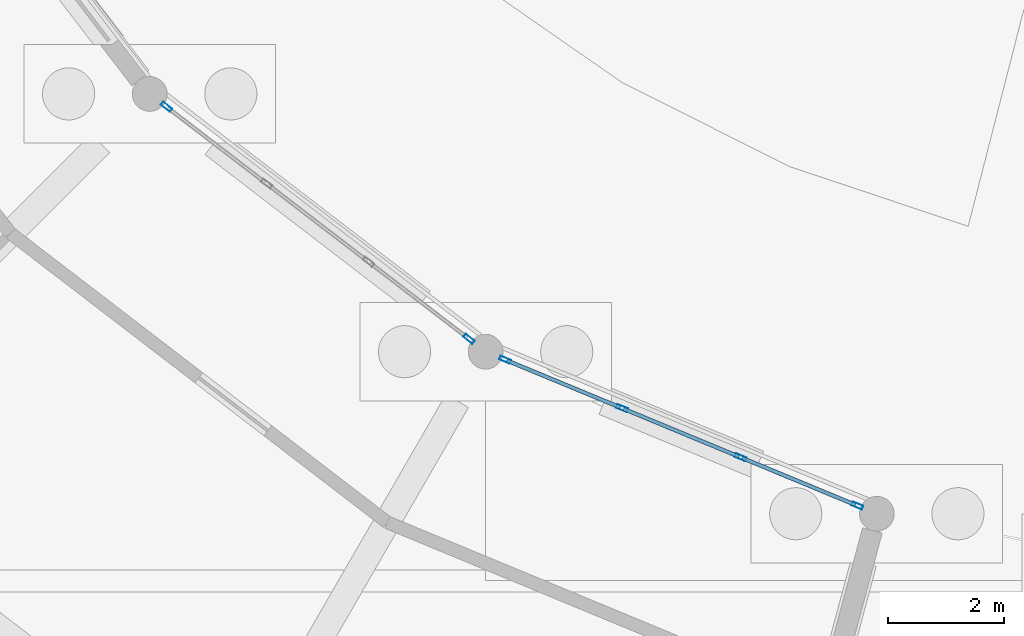
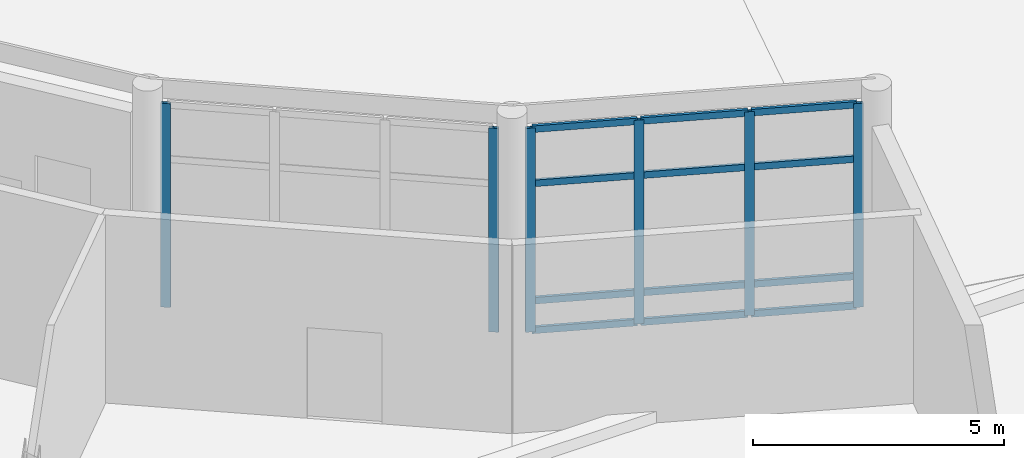
# One storey, part 39 of 137: 18 members, 2 elements without a shape of their own.
"""IFC4 building model written with IfcOpenShell, lengths in metres."""

from ifc_helpers import new_model, si_unit, direction, frame, origin, origin_2d, place, context, subcontext, project, spatial, hollow_rectangle, extrude, material, material_profile, profile_set, type_object, element, aggregate, save


model = new_model("IFC4")

# Units and contexts
model_context = context("Model", 3, precision=1e-05, world=origin(), true_north=direction((0.0, 1.0)))
body_context = subcontext(model_context, "Body", "Model", "MODEL_VIEW")
ifc_project = project(units=[si_unit("LENGTHUNIT", "METRE"), si_unit("AREAUNIT", "SQUARE_METRE"), si_unit("VOLUMEUNIT", "CUBIC_METRE"), si_unit("PLANEANGLEUNIT", "RADIAN"), si_unit("MASSUNIT", "GRAM", prefix="KILO")], contexts=[model_context])

# Site, building, storey
site_placement = place(None, origin())
site = spatial("IfcSite", under=ifc_project, at=site_placement, CompositionType="ELEMENT")
building_placement = place(site_placement, origin())
building = spatial("IfcBuilding", under=site, at=building_placement, Name="Vondelvale Polytechnic", CompositionType="ELEMENT")
storey_placement = place(building_placement, origin())
storey = spatial("IfcBuildingStorey", under=building, at=storey_placement, Name="L00", CompositionType="ELEMENT", Elevation=0.0)

# Curtain wall, members
ifc_material = material(Name="Anodised extruded aluminium 6063-T6", Category="aluminium")
curtain_wall_type = type_object("IfcCurtainWallType", Name="CW-RING-CLOISTER", PredefinedType="NOTDEFINED", material=ifc_material)
curtain_wall_1_placement = place(storey_placement, origin())
curtain_wall_1 = element("IfcCurtainWall", 1, at=curtain_wall_1_placement, inside=storey, type_object=curtain_wall_type, Name="L00 architectural curtain wall CW-03-314", PredefinedType="NOTDEFINED")
ifc_material_profile_1 = material_profile(ifc_material, hollow_rectangle(XDim=0.070068359375, YDim=0.199951171875, WallThickness=0.00390625, at=origin_2d()), Name="CW-MUL-200x70")
ifc_profile_set_1 = profile_set([ifc_material_profile_1], Name="Anodised extruded aluminium 6063-T6")
member_type_1 = type_object("IfcMemberType", Name="CW-MUL-70x200", PredefinedType="MULLION", material=ifc_profile_set_1)
member_1_placement = place(storey_placement, frame((82.489501953125, 51.9794921875, 0.0), z_axis=(0.0, 0.0, 1.0), x_axis=(0.608747717793, 0.793363861089, 0.0)))
member_1 = element("IfcMember", 2, at=member_1_placement, type_object=member_type_1, Name="CW-03-314 mullion 1", PredefinedType="MULLION", context=body_context, shape_type="SweptSolid", body=[
    extrude(hollow_rectangle(XDim=0.070068359375, YDim=0.199951171875, WallThickness=0.00390625, at=origin_2d()), origin(), (0.0, 0.0, 1.0), 4.949951171875),
])
member_2_placement = place(storey_placement, frame((87.71142578125, 47.97265625, 0.0), z_axis=(0.0, 0.0, 1.0), x_axis=(0.608747717793, 0.793363861089, 0.0)))
member_2 = element("IfcMember", 3, at=member_2_placement, type_object=member_type_1, Name="CW-03-314 mullion 4", PredefinedType="MULLION", context=body_context, shape_type="SweptSolid", body=[
    extrude(hollow_rectangle(XDim=0.070068359375, YDim=0.199951171875, WallThickness=0.00390625, at=origin_2d()), origin(), (0.0, 0.0, 1.0), 4.949951171875),
])
aggregate(curtain_wall_1, [member_1, member_2])

curtain_wall_2_placement = place(storey_placement, origin())
curtain_wall_2 = element("IfcCurtainWall", 4, at=curtain_wall_2_placement, inside=storey, type_object=curtain_wall_type, Name="L00 architectural curtain wall CW-03-325", PredefinedType="NOTDEFINED")
member_3_placement = place(storey_placement, frame((88.337158203125, 47.611572265625, 0.0), z_axis=(0.0, 0.0, 1.0), x_axis=(0.382678531697, 0.923881562419, 0.0)))
member_3 = element("IfcMember", 5, at=member_3_placement, type_object=member_type_1, Name="CW-03-325 mullion 1", PredefinedType="MULLION", context=body_context, shape_type="SweptSolid", body=[
    extrude(hollow_rectangle(XDim=0.070068359375, YDim=0.199951171875, WallThickness=0.00390625, at=origin_2d()), origin(), (0.0, 0.0, 1.0), 4.949951171875),
])
member_4_placement = place(storey_placement, frame((90.352783203125, 46.77685546875, 0.0), z_axis=(0.0, 0.0, 1.0), x_axis=(0.382678531697, 0.923881562419, 0.0)))
member_4 = element("IfcMember", 6, at=member_4_placement, type_object=member_type_1, Name="CW-03-325 mullion 2", PredefinedType="MULLION", context=body_context, shape_type="SweptSolid", body=[
    extrude(hollow_rectangle(XDim=0.070068359375, YDim=0.199951171875, WallThickness=0.00390625, at=origin_2d()), origin(), (0.0, 0.0, 1.0), 4.949951171875),
])
member_5_placement = place(storey_placement, frame((92.400390625, 45.9287109375, 0.0), z_axis=(0.0, 0.0, 1.0), x_axis=(0.382678531697, 0.923881562419, 0.0)))
member_5 = element("IfcMember", 7, at=member_5_placement, type_object=member_type_1, Name="CW-03-325 mullion 3", PredefinedType="MULLION", context=body_context, shape_type="SweptSolid", body=[
    extrude(hollow_rectangle(XDim=0.070068359375, YDim=0.199951171875, WallThickness=0.00390625, at=origin_2d()), origin(), (0.0, 0.0, 1.0), 4.949951171875),
])
member_6_placement = place(storey_placement, frame((94.415771484375, 45.09375, 0.0), z_axis=(0.0, 0.0, 1.0), x_axis=(0.382678531697, 0.923881562419, 0.0)))
member_6 = element("IfcMember", 8, at=member_6_placement, type_object=member_type_1, Name="CW-03-325 mullion 4", PredefinedType="MULLION", context=body_context, shape_type="SweptSolid", body=[
    extrude(hollow_rectangle(XDim=0.070068359375, YDim=0.199951171875, WallThickness=0.00390625, at=origin_2d()), origin(), (0.0, 0.0, 1.0), 4.949951171875),
])
ifc_material_profile_2 = material_profile(ifc_material, hollow_rectangle(XDim=0.06494140625, YDim=0.159912109375, WallThickness=0.00341796875, at=origin_2d()), Name="CW-TRN-160x65")
ifc_profile_set_2 = profile_set([ifc_material_profile_2], Name="Anodised extruded aluminium 6063-T6")
member_type_2 = type_object("IfcMemberType", Name="CW-TRN-70x160", PredefinedType="USERDEFINED", material=ifc_profile_set_2)
member_7_placement = place(storey_placement, frame((88.36962890625, 47.59814453125, 0.032470703125), z_axis=(0.923902685011, -0.382627532503, 0.0), x_axis=(0.382627532503, 0.923902685011, 0.0)))
member_7 = element("IfcMember", 9, at=member_7_placement, type_object=member_type_2, Name="CW-03-325 transom 1.1", ObjectType="TRANSOM", PredefinedType="USERDEFINED", context=body_context, shape_type="SweptSolid", body=[
    extrude(hollow_rectangle(XDim=0.06494140625, YDim=0.159912109375, WallThickness=0.00341796875, at=origin_2d()), origin(), (0.0, 0.0, 1.0), 2.111328125),
])
member_8_placement = place(storey_placement, frame((88.36962890625, 47.59814453125, 0.75), z_axis=(0.923902685011, -0.382627532503, 0.0), x_axis=(0.382627532503, 0.923902685011, 0.0)))
member_8 = element("IfcMember", 10, at=member_8_placement, type_object=member_type_2, Name="CW-03-325 transom 1.2", ObjectType="TRANSOM", PredefinedType="USERDEFINED", context=body_context, shape_type="SweptSolid", body=[
    extrude(hollow_rectangle(XDim=0.06494140625, YDim=0.159912109375, WallThickness=0.00341796875, at=origin_2d()), origin(), (0.0, 0.0, 1.0), 2.111328125),
])
member_9_placement = place(storey_placement, frame((88.36962890625, 47.59814453125, 3.60009765625), z_axis=(0.923902685011, -0.382627532503, 0.0), x_axis=(0.382627532503, 0.923902685011, 0.0)))
member_9 = element("IfcMember", 11, at=member_9_placement, type_object=member_type_2, Name="CW-03-325 transom 1.3", ObjectType="TRANSOM", PredefinedType="USERDEFINED", context=body_context, shape_type="SweptSolid", body=[
    extrude(hollow_rectangle(XDim=0.06494140625, YDim=0.159912109375, WallThickness=0.00341796875, at=origin_2d()), origin(), (0.0, 0.0, 1.0), 2.111328125),
])
member_10_placement = place(storey_placement, frame((88.36962890625, 47.59814453125, 4.91748046875), z_axis=(0.923902685011, -0.382627532503, 0.0), x_axis=(0.382627532503, 0.923902685011, 0.0)))
member_10 = element("IfcMember", 12, at=member_10_placement, type_object=member_type_2, Name="CW-03-325 transom 1.4", ObjectType="TRANSOM", PredefinedType="USERDEFINED", context=body_context, shape_type="SweptSolid", body=[
    extrude(hollow_rectangle(XDim=0.06494140625, YDim=0.159912109375, WallThickness=0.00341796875, at=origin_2d()), origin(), (0.0, 0.0, 1.0), 2.111328125),
])
member_11_placement = place(storey_placement, frame((90.385009765625, 46.763427734375, 0.032470703125), z_axis=(0.923865730094, -0.382716752649, 0.0), x_axis=(0.382716752649, 0.923865730094, 0.0)))
member_11 = element("IfcMember", 13, at=member_11_placement, type_object=member_type_2, Name="CW-03-325 transom 2.1", ObjectType="TRANSOM", PredefinedType="USERDEFINED", context=body_context, shape_type="SweptSolid", body=[
    extrude(hollow_rectangle(XDim=0.06494140625, YDim=0.159912109375, WallThickness=0.00341796875, at=origin_2d()), origin(), (0.0, 0.0, 1.0), 2.146484375),
])
member_12_placement = place(storey_placement, frame((90.385009765625, 46.763427734375, 0.75), z_axis=(0.923865730094, -0.382716752649, 0.0), x_axis=(0.382716752649, 0.923865730094, 0.0)))
member_12 = element("IfcMember", 14, at=member_12_placement, type_object=member_type_2, Name="CW-03-325 transom 2.2", ObjectType="TRANSOM", PredefinedType="USERDEFINED", context=body_context, shape_type="SweptSolid", body=[
    extrude(hollow_rectangle(XDim=0.06494140625, YDim=0.159912109375, WallThickness=0.00341796875, at=origin_2d()), origin(), (0.0, 0.0, 1.0), 2.146484375),
])
member_13_placement = place(storey_placement, frame((90.385009765625, 46.763427734375, 3.60009765625), z_axis=(0.923865730094, -0.382716752649, 0.0), x_axis=(0.382716752649, 0.923865730094, 0.0)))
member_13 = element("IfcMember", 15, at=member_13_placement, type_object=member_type_2, Name="CW-03-325 transom 2.3", ObjectType="TRANSOM", PredefinedType="USERDEFINED", context=body_context, shape_type="SweptSolid", body=[
    extrude(hollow_rectangle(XDim=0.06494140625, YDim=0.159912109375, WallThickness=0.00341796875, at=origin_2d()), origin(), (0.0, 0.0, 1.0), 2.146484375),
])
member_14_placement = place(storey_placement, frame((90.385009765625, 46.763427734375, 4.91748046875), z_axis=(0.923865730094, -0.382716752649, 0.0), x_axis=(0.382716752649, 0.923865730094, 0.0)))
member_14 = element("IfcMember", 16, at=member_14_placement, type_object=member_type_2, Name="CW-03-325 transom 2.4", ObjectType="TRANSOM", PredefinedType="USERDEFINED", context=body_context, shape_type="SweptSolid", body=[
    extrude(hollow_rectangle(XDim=0.06494140625, YDim=0.159912109375, WallThickness=0.00341796875, at=origin_2d()), origin(), (0.0, 0.0, 1.0), 2.146484375),
])
member_15_placement = place(storey_placement, frame((92.432861328125, 45.915283203125, 0.032470703125), z_axis=(0.923861804277, -0.382726229306, 0.0), x_axis=(0.382726229306, 0.923861804277, 0.0)))
member_15 = element("IfcMember", 17, at=member_15_placement, type_object=member_type_2, Name="CW-03-325 transom 3.1", ObjectType="TRANSOM", PredefinedType="USERDEFINED", context=body_context, shape_type="SweptSolid", body=[
    extrude(hollow_rectangle(XDim=0.06494140625, YDim=0.159912109375, WallThickness=0.00341796875, at=origin_2d()), origin(), (0.0, 0.0, 1.0), 2.111328125),
])
member_16_placement = place(storey_placement, frame((92.432861328125, 45.915283203125, 0.75), z_axis=(0.923861804277, -0.382726229306, 0.0), x_axis=(0.382726229306, 0.923861804277, 0.0)))
member_16 = element("IfcMember", 18, at=member_16_placement, type_object=member_type_2, Name="CW-03-325 transom 3.2", ObjectType="TRANSOM", PredefinedType="USERDEFINED", context=body_context, shape_type="SweptSolid", body=[
    extrude(hollow_rectangle(XDim=0.06494140625, YDim=0.159912109375, WallThickness=0.00341796875, at=origin_2d()), origin(), (0.0, 0.0, 1.0), 2.111328125),
])
member_17_placement = place(storey_placement, frame((92.432861328125, 45.915283203125, 3.60009765625), z_axis=(0.923861804277, -0.382726229306, 0.0), x_axis=(0.382726229306, 0.923861804277, 0.0)))
member_17 = element("IfcMember", 19, at=member_17_placement, type_object=member_type_2, Name="CW-03-325 transom 3.3", ObjectType="TRANSOM", PredefinedType="USERDEFINED", context=body_context, shape_type="SweptSolid", body=[
    extrude(hollow_rectangle(XDim=0.06494140625, YDim=0.159912109375, WallThickness=0.00341796875, at=origin_2d()), origin(), (0.0, 0.0, 1.0), 2.111328125),
])
member_18_placement = place(storey_placement, frame((92.432861328125, 45.915283203125, 4.91748046875), z_axis=(0.923861804277, -0.382726229306, 0.0), x_axis=(0.382726229306, 0.923861804277, 0.0)))
member_18 = element("IfcMember", 20, at=member_18_placement, type_object=member_type_2, Name="CW-03-325 transom 3.4", ObjectType="TRANSOM", PredefinedType="USERDEFINED", context=body_context, shape_type="SweptSolid", body=[
    extrude(hollow_rectangle(XDim=0.06494140625, YDim=0.159912109375, WallThickness=0.00341796875, at=origin_2d()), origin(), (0.0, 0.0, 1.0), 2.111328125),
])
aggregate(curtain_wall_2, [member_3, member_4, member_5, member_6, member_7, member_8, member_9, member_10, member_11, member_12, member_13, member_14, member_15, member_16, member_17, member_18])

save(model, "model.ifc")
